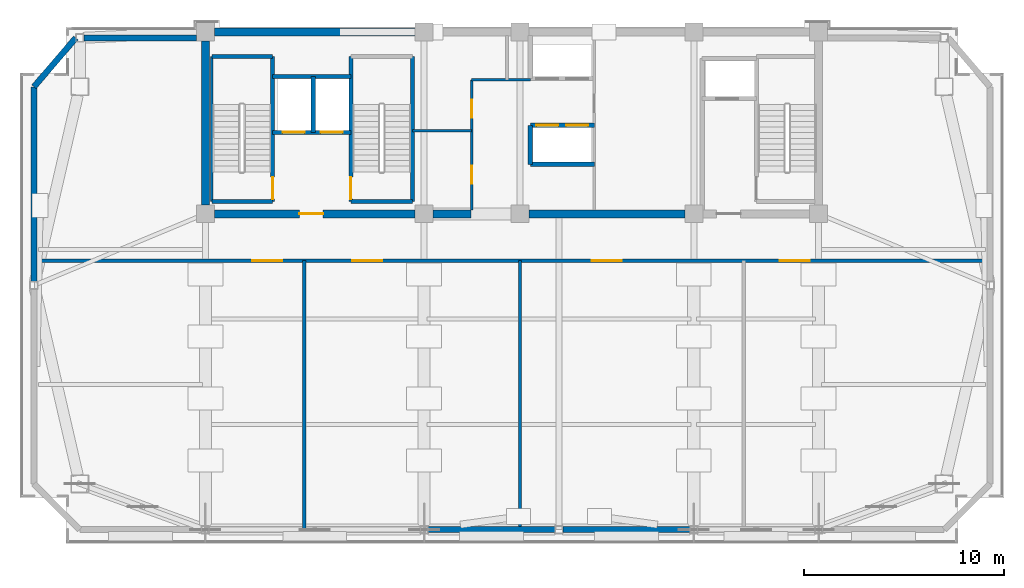
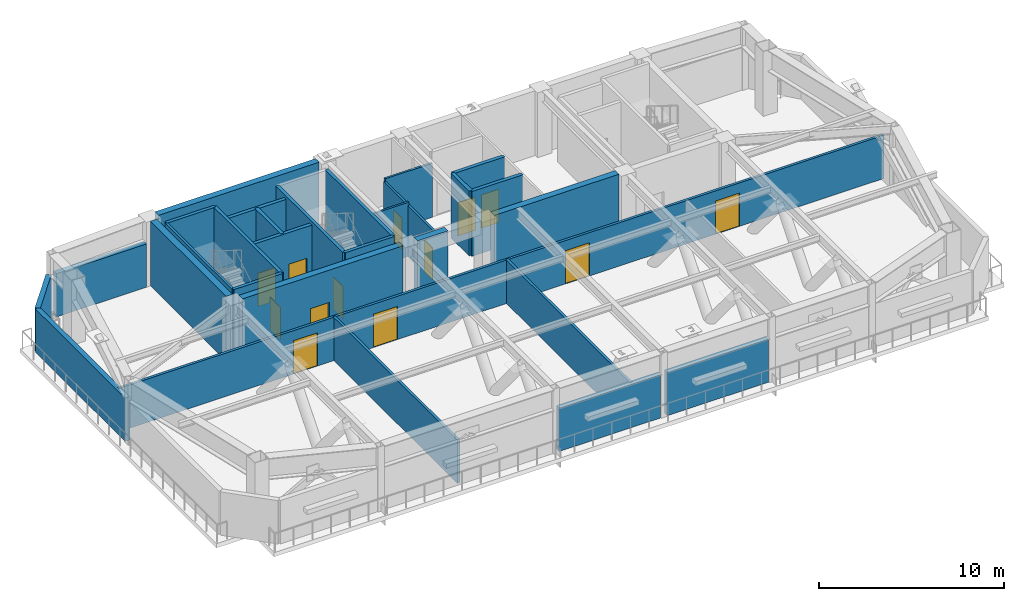
# One storey, part 3 of 7: 29 walls, 13 doors, 13 openings.
"""IFC4 building model written with IfcOpenShell, lengths in metres."""

from ifc_helpers import new_model, si_unit, direction, frame, frame_2d, origin, place, context, subcontext, project, spatial, rectangle, extrude, source, transform, mapped, material, layer, layer_set, type_object, element, fill, save


model = new_model("IFC4")

# Units and contexts
model_context = context("Model", 3, precision=1e-05, world=origin(), true_north=direction((0.0, 1.0)))
body_context = subcontext(model_context, "Body", "Model", "MODEL_VIEW")
ifc_project = project(units=[si_unit("LENGTHUNIT", "METRE"), si_unit("AREAUNIT", "SQUARE_METRE"), si_unit("VOLUMEUNIT", "CUBIC_METRE"), si_unit("PLANEANGLEUNIT", "RADIAN"), si_unit("MASSUNIT", "GRAM", prefix="KILO")], contexts=[model_context])

# Site, building, storey
site_placement = place(None, origin())
site = spatial("IfcSite", under=ifc_project, at=site_placement, CompositionType="ELEMENT")
building_placement = place(site_placement, origin())
building = spatial("IfcBuilding", under=site, at=building_placement, Name="Giltprow Tower", CompositionType="ELEMENT")
storey_placement = place(building_placement, frame((0.0, 0.0, 327.800048828125)))
storey = spatial("IfcBuildingStorey", under=building, at=storey_placement, Name="L85", CompositionType="ELEMENT", Elevation=327.800048828125)

# Walls
ifc_material_1 = material(Name="Precast concrete C40", Category="concrete")
ifc_layer_1 = layer(ifc_material_1, 0.300048828125, Name="Precast concrete C40")
ifc_layer_set_1 = layer_set([ifc_layer_1], Name="Precast concrete C40")
wall_type_1 = type_object("IfcWallType", Name="EW-NOTCH-CHAMFER-300", PredefinedType="SOLIDWALL", material=ifc_layer_set_1)
wall_1_placement = place(storey_placement, frame((13.362060546875, 46.25, 0.0), z_axis=(0.0, 0.0, 1.0), x_axis=(-0.650610025707, -0.759412005732, 0.0)))
element("IfcWall", 1, at=wall_1_placement, inside=storey, type_object=wall_type_1, Name="L85 Corner Notch Wall NW", PredefinedType="SOLIDWALL", context=body_context, shape_type="SweptSolid", body=[
    extrude(rectangle(XDim=3.215576171875, YDim=0.300048828125, at=frame_2d((1.60791015625, 0.0))), origin(), (0.0, 0.0, 1.0), 2.864990234375),
])
ifc_layer_2 = layer(ifc_material_1, 0.300048828125, Name="Precast concrete C40")
ifc_layer_set_2 = layer_set([ifc_layer_2], Name="Precast concrete C40")
wall_type_2 = type_object("IfcWallType", Name="EW-REF-LOUVRE-300", PredefinedType="SOLIDWALL", material=ifc_layer_set_2)
for number, where, z_axis, x_axis, name in (
    (2, (31.0, 21.635986328125, 0.0), (0.0, 0.0, 1.0), (1.0, 0.0, 0.0), "L85 South Expressed Frame Wall 3"),
    (3, (37.75, 21.635986328125, 0.0), (0.0, 0.0, 1.0), (1.0, 0.0, 0.0), "L85 South Expressed Frame Wall 4"),
):
    element("IfcWall", number, at=place(storey_placement, frame(where, z_axis=z_axis, x_axis=x_axis)), inside=storey, type_object=wall_type_2, Name=name, PredefinedType="SOLIDWALL", context=body_context, shape_type="SweptSolid", body=[
        extrude(rectangle(XDim=6.35009765625, YDim=0.300048828125, at=frame_2d((3.175048828125, 0.0))), origin(), (0.0, 0.0, 1.0), 2.864990234375),
    ])
wall_2_placement = place(storey_placement, frame((11.27001953125, 34.068115234375, 0.0), z_axis=(0.0, 0.0, 1.0), x_axis=(0.0, 1.0, 0.0)))
element("IfcWall", 4, at=wall_2_placement, inside=storey, type_object=wall_type_2, Name="L85 W Wing Masonry Wall 2", PredefinedType="SOLIDWALL", context=body_context, shape_type="SweptSolid", body=[
    extrude(rectangle(XDim=9.739990234375, YDim=0.300048828125, at=frame_2d((4.8701171875, 0.0))), origin(), (0.0, 0.0, 1.0), 2.864990234375),
])
wall_3_placement = place(storey_placement, frame((13.761962890625, 46.25, 0.0), z_axis=(0.0, 0.0, 1.0), x_axis=(1.0, 0.0, 0.0)))
element("IfcWall", 5, at=wall_3_placement, inside=storey, type_object=wall_type_2, Name="L85 North-West Wing Wall", PredefinedType="SOLIDWALL", context=body_context, shape_type="SweptSolid", body=[
    extrude(rectangle(XDim=5.637939453125, YDim=0.300048828125, at=frame_2d((2.81884765625, 0.0))), origin(), (0.0, 0.0, 1.0), 2.864990234375),
])

# Wall, openings, doors
ifc_material_2 = material(Name="Gypsum stud partition", Category="gypsum")
ifc_layer_3 = layer(ifc_material_2, 0.159912109375, Name="Gypsum stud partition")
ifc_layer_set_3 = layer_set([ifc_layer_3], Name="Gypsum stud partition")
wall_type_3 = type_object("IfcWallType", Name="IW-DEMISE-160", PredefinedType="PARTITIONING", material=ifc_layer_set_3)
wall_4_placement = place(storey_placement, frame((11.27001953125, 35.10009765625, 0.0), z_axis=(0.0, 0.0, 1.0), x_axis=(1.0, 0.0, 0.0)))
wall_4 = element("IfcWall", 6, at=wall_4_placement, inside=storey, type_object=wall_type_3, Name="L85 Refuge and Plant Corridor Wall", PredefinedType="PARTITIONING", context=body_context, shape_type="SweptSolid", body=[
    extrude(rectangle(XDim=47.861083984375, YDim=0.159912109375, at=frame_2d((23.9306640625, 0.0))), origin(), (0.0, 0.0, 1.0), 2.869873046875),
])
opening_1_placement = place(wall_4_placement, frame((10.929931640625, 0.0, 0.0)))
opening_1 = element("IfcOpeningElement", 7, at=opening_1_placement, cuts=wall_4, Name="Opening ID25", PredefinedType="OPENING", context=body_context, shape_type="SweptSolid", body=[
    extrude(rectangle(XDim=1.5, YDim=2.199951171875, at=frame_2d((0.75, 1.10009765625))), frame((0.0, 0.08984375, 0.0), z_axis=(0.0, -1.0, 0.0), x_axis=(1.0, 0.0, 0.0)), (0.0, 0.0, 1.0), 0.179931640625),
])
opening_2_placement = place(wall_4_placement, frame((15.929931640625, 0.0, 0.0)))
opening_2 = element("IfcOpeningElement", 8, at=opening_2_placement, cuts=wall_4, Name="Opening ID25", PredefinedType="OPENING", context=body_context, shape_type="SweptSolid", body=[
    extrude(rectangle(XDim=1.5, YDim=2.199951171875, at=frame_2d((0.75, 1.10009765625))), frame((0.0, 0.08984375, 0.0), z_axis=(0.0, -1.0, 0.0), x_axis=(1.0, 0.0, 0.0)), (0.0, 0.0, 1.0), 0.179931640625),
])
opening_3_placement = place(wall_4_placement, frame((27.929931640625, 0.0, 0.0)))
opening_3 = element("IfcOpeningElement", 9, at=opening_3_placement, cuts=wall_4, Name="Opening ID25", PredefinedType="OPENING", context=body_context, shape_type="SweptSolid", body=[
    extrude(rectangle(XDim=1.5, YDim=2.199951171875, at=frame_2d((0.75, 1.10009765625))), frame((0.0, 0.08984375, 0.0), z_axis=(0.0, -1.0, 0.0), x_axis=(1.0, 0.0, 0.0)), (0.0, 0.0, 1.0), 0.179931640625),
])
opening_4_placement = place(wall_4_placement, frame((37.330078125, 0.0, 0.0)))
opening_4 = element("IfcOpeningElement", 10, at=opening_4_placement, cuts=wall_4, Name="Opening ID25", PredefinedType="OPENING", context=body_context, shape_type="SweptSolid", body=[
    extrude(rectangle(XDim=1.5, YDim=2.199951171875, at=frame_2d((0.75, 1.10009765625))), frame((0.0, 0.08984375, 0.0), z_axis=(0.0, -1.0, 0.0), x_axis=(1.0, 0.0, 0.0)), (0.0, 0.0, 1.0), 0.179931640625),
])
ifc_material_3 = material(Name="Steel fire leaf", Category="steel")
door_type_1 = type_object("IfcDoorType", Name="DR-PLANT-1500", OperationType="DOUBLE_SWING_LEFT", PredefinedType="DOOR", material=ifc_material_3)
shared_shape_1 = source(origin(), body_context, "Body", "SweptSolid", [
    extrude(rectangle(XDim=1.5, YDim=2.199951171875, at=frame_2d((0.75, 1.10009765625))), frame((0.0, 0.02490234375, 0.0), z_axis=(0.0, -1.0, 0.0), x_axis=(1.0, 0.0, 0.0)), (0.0, 0.0, 1.0), 0.050048828125),
])
door_1_placement = place(opening_1_placement, origin())
door_1 = element("IfcDoor", 11, at=door_1_placement, inside=storey, type_object=door_type_1, Name="L85 Pressurized Fire Refuge Holding Area West Door", OperationType="DOUBLE_SWING_LEFT", OverallHeight=2.199951171875, OverallWidth=1.5, PredefinedType="DOOR", context=body_context, shape_type="MappedRepresentation", body=[
    mapped(shared_shape_1, transform((0.0, 0.0, 0.0), x_axis=(1.0, 0.0, 0.0), y_axis=(0.0, 1.0, 0.0), z_axis=(0.0, 0.0, 1.0), scale=1.0)),
])
fill(opening_1, door_1)
door_2_placement = place(opening_2_placement, origin())
door_2 = element("IfcDoor", 12, at=door_2_placement, inside=storey, type_object=door_type_1, Name="L85 Zone Air Handling and Smoke Dampers Plant Door", OperationType="DOUBLE_SWING_LEFT", OverallHeight=2.199951171875, OverallWidth=1.5, PredefinedType="DOOR", context=body_context, shape_type="MappedRepresentation", body=[
    mapped(shared_shape_1, transform((0.0, 0.0, 0.0), x_axis=(1.0, 0.0, 0.0), y_axis=(0.0, 1.0, 0.0), z_axis=(0.0, 0.0, 1.0), scale=1.0)),
])
fill(opening_2, door_2)
door_3_placement = place(opening_3_placement, origin())
door_3 = element("IfcDoor", 13, at=door_3_placement, inside=storey, type_object=door_type_1, Name="L85 High-Zone Heat Exchanger and Pump Plant Door", OperationType="DOUBLE_SWING_LEFT", OverallHeight=2.199951171875, OverallWidth=1.5, PredefinedType="DOOR", context=body_context, shape_type="MappedRepresentation", body=[
    mapped(shared_shape_1, transform((0.0, 0.0, 0.0), x_axis=(1.0, 0.0, 0.0), y_axis=(0.0, 1.0, 0.0), z_axis=(0.0, 0.0, 1.0), scale=1.0)),
])
fill(opening_3, door_3)
door_4_placement = place(opening_4_placement, origin())
door_4 = element("IfcDoor", 14, at=door_4_placement, inside=storey, type_object=door_type_1, Name="L85 Pressurized Fire Refuge Holding Area East Door", OperationType="DOUBLE_SWING_LEFT", OverallHeight=2.199951171875, OverallWidth=1.5, PredefinedType="DOOR", context=body_context, shape_type="MappedRepresentation", body=[
    mapped(shared_shape_1, transform((0.0, 0.0, 0.0), x_axis=(1.0, 0.0, 0.0), y_axis=(0.0, 1.0, 0.0), z_axis=(0.0, 0.0, 1.0), scale=1.0)),
])
fill(opening_4, door_4)

# Walls
for number, where, z_axis, x_axis, name in (
    (15, (24.800048828125, 21.635986328125, 0.0), (0.0, 0.0, 1.0), (0.0, 1.0, 0.0), "L85 Refuge Compartment Wall 1"),
    (16, (35.60009765625, 21.635986328125, 0.0), (0.0, 0.0, 1.0), (0.0, 1.0, 0.0), "L85 Refuge Compartment Wall 2"),
):
    element("IfcWall", number, at=place(storey_placement, frame(where, z_axis=z_axis, x_axis=x_axis)), inside=storey, type_object=wall_type_3, Name=name, PredefinedType="PARTITIONING", context=body_context, shape_type="SweptSolid", body=[
        extrude(rectangle(XDim=13.464111328125, YDim=0.159912109375, at=frame_2d((6.73193359375, 0.0))), origin(), (0.0, 0.0, 1.0), 2.869873046875),
    ])

# Wall, openings, doors
ifc_material_4 = material(Name="Concrete C40", Category="concrete")
ifc_layer_4 = layer(ifc_material_4, 0.219970703125, Name="Concrete C40")
ifc_layer_set_4 = layer_set([ifc_layer_4], Name="Concrete C40")
wall_type_4 = type_object("IfcWallType", Name="IW-SHAFT-220", PredefinedType="SOLIDWALL", material=ifc_layer_set_4)
wall_5_placement = place(storey_placement, frame((23.219970703125, 41.52001953125, 0.0), z_axis=(0.0, 0.0, 1.0), x_axis=(1.0, 0.0, 0.0)))
wall_5 = element("IfcWall", 17, at=wall_5_placement, inside=storey, type_object=wall_type_4, Name="L85 FFL1 and Service Lift Front Wall", PredefinedType="SOLIDWALL", context=body_context, shape_type="SweptSolid", body=[
    extrude(rectangle(XDim=3.919921875, YDim=0.219970703125, at=frame_2d((1.9599609375, 0.0))), origin(), (0.0, 0.0, 1.0), 4.284912109375),
])
opening_5_placement = place(wall_5_placement, frame((0.5, 0.0, 0.0)))
opening_5 = element("IfcOpeningElement", 18, at=opening_5_placement, cuts=wall_5, Name="Opening LD-11", PredefinedType="OPENING", context=body_context, shape_type="SweptSolid", body=[
    extrude(rectangle(XDim=1.10009765625, YDim=2.199951171875, at=frame_2d((0.550048828125, 1.10009765625))), frame((0.0, 0.119873046875, 0.0), z_axis=(0.0, -1.0, 0.0), x_axis=(1.0, 0.0, 0.0)), (0.0, 0.0, 1.0), 0.239990234375),
])
opening_6_placement = place(wall_5_placement, frame((2.39990234375, 0.0, 0.0)))
opening_6 = element("IfcOpeningElement", 19, at=opening_6_placement, cuts=wall_5, Name="Opening LD-11", PredefinedType="OPENING", context=body_context, shape_type="SweptSolid", body=[
    extrude(rectangle(XDim=1.10009765625, YDim=2.199951171875, at=frame_2d((0.550048828125, 1.10009765625))), frame((0.0, 0.119873046875, 0.0), z_axis=(0.0, -1.0, 0.0), x_axis=(1.0, 0.0, 0.0)), (0.0, 0.0, 1.0), 0.239990234375),
])
ifc_material_5 = material(Name="Stainless steel", Category="steel")
door_type_2 = type_object("IfcDoorType", Name="DR-LIFT-LD1100", OperationType="SLIDING_TO_LEFT", PredefinedType="DOOR", material=ifc_material_5)
shared_shape_2 = source(origin(), body_context, "Body", "SweptSolid", [
    extrude(rectangle(XDim=1.10009765625, YDim=2.199951171875, at=frame_2d((0.550048828125, 1.10009765625))), frame((0.0, 0.02490234375, 0.0), z_axis=(0.0, -1.0, 0.0), x_axis=(1.0, 0.0, 0.0)), (0.0, 0.0, 1.0), 0.050048828125),
])
door_5_placement = place(opening_5_placement, origin())
door_5 = element("IfcDoor", 20, at=door_5_placement, inside=storey, type_object=door_type_2, Name="L85 FFL1 Landing Door", OperationType="SLIDING_TO_LEFT", OverallHeight=2.199951171875, OverallWidth=1.10009765625, PredefinedType="DOOR", context=body_context, shape_type="MappedRepresentation", body=[
    mapped(shared_shape_2, transform((0.0, 0.0, 0.0), x_axis=(1.0, 0.0, 0.0), y_axis=(0.0, 1.0, 0.0), z_axis=(0.0, 0.0, 1.0), scale=1.0)),
])
fill(opening_5, door_5)
door_6_placement = place(opening_6_placement, origin())
door_6 = element("IfcDoor", 21, at=door_6_placement, inside=storey, type_object=door_type_2, Name="L85 SVL1 Landing Door", OperationType="SLIDING_TO_LEFT", OverallHeight=2.199951171875, OverallWidth=1.10009765625, PredefinedType="DOOR", context=body_context, shape_type="MappedRepresentation", body=[
    mapped(shared_shape_2, transform((0.0, 0.0, 0.0), x_axis=(1.0, 0.0, 0.0), y_axis=(0.0, 1.0, 0.0), z_axis=(0.0, 0.0, 1.0), scale=1.0)),
])
fill(opening_6, door_6)

# Walls
wall_6_placement = place(storey_placement, frame((25.260009765625, 41.52001953125, 0.0), z_axis=(0.0, 0.0, 1.0), x_axis=(0.0, 1.0, 0.0)))
element("IfcWall", 22, at=wall_6_placement, inside=storey, type_object=wall_type_4, Name="L85 FFL1-SVL1 Shaft Divider", PredefinedType="SOLIDWALL", context=body_context, shape_type="SweptSolid", body=[
    extrude(rectangle(XDim=2.800048828125, YDim=0.219970703125, at=frame_2d((1.39990234375, 0.0))), origin(), (0.0, 0.0, 1.0), 4.284912109375),
])
wall_7_placement = place(storey_placement, frame((23.219970703125, 44.320068359375, 0.0), z_axis=(0.0, 0.0, 1.0), x_axis=(1.0, 0.0, 0.0)))
element("IfcWall", 23, at=wall_7_placement, inside=storey, type_object=wall_type_4, Name="L85 FFL1-SVL1 Back Shaft Wall", PredefinedType="SOLIDWALL", context=body_context, shape_type="SweptSolid", body=[
    extrude(rectangle(XDim=3.919921875, YDim=0.219970703125, at=frame_2d((1.9599609375, 0.0))), origin(), (0.0, 0.0, 1.0), 4.284912109375),
])

# Wall, openings, doors
wall_8_placement = place(storey_placement, frame((36.1201171875, 41.8798828125, 0.0), z_axis=(0.0, 0.0, 1.0), x_axis=(1.0, 0.0, 0.0)))
wall_8 = element("IfcWall", 24, at=wall_8_placement, inside=storey, type_object=wall_type_4, Name="L85 High-Rise Lift Shaft Front Wall S", PredefinedType="SOLIDWALL", context=body_context, shape_type="SweptSolid", body=[
    extrude(rectangle(XDim=3.199951171875, YDim=0.219970703125, at=frame_2d((1.60009765625, 0.0))), origin(), (0.0, 0.0, 1.0), 4.284912109375),
])
opening_7_placement = place(wall_8_placement, frame((0.300048828125, 0.0, 0.0)))
opening_7 = element("IfcOpeningElement", 25, at=opening_7_placement, cuts=wall_8, Name="Opening LD-11", PredefinedType="OPENING", context=body_context, shape_type="SweptSolid", body=[
    extrude(rectangle(XDim=1.10009765625, YDim=2.199951171875, at=frame_2d((0.550048828125, 1.10009765625))), frame((0.0, 0.119873046875, 0.0), z_axis=(0.0, -1.0, 0.0), x_axis=(1.0, 0.0, 0.0)), (0.0, 0.0, 1.0), 0.239990234375),
])
opening_8_placement = place(wall_8_placement, frame((1.7900390625, 0.0, 0.0)))
opening_8 = element("IfcOpeningElement", 26, at=opening_8_placement, cuts=wall_8, Name="Opening LD-11", PredefinedType="OPENING", context=body_context, shape_type="SweptSolid", body=[
    extrude(rectangle(XDim=1.10009765625, YDim=2.199951171875, at=frame_2d((0.550048828125, 1.10009765625))), frame((0.0, 0.119873046875, 0.0), z_axis=(0.0, -1.0, 0.0), x_axis=(1.0, 0.0, 0.0)), (0.0, 0.0, 1.0), 0.239990234375),
])
door_7_placement = place(opening_7_placement, origin())
door_7 = element("IfcDoor", 27, at=door_7_placement, inside=storey, type_object=door_type_2, Name="L85 PL-H3 Landing Door", OperationType="SLIDING_TO_LEFT", OverallHeight=2.199951171875, OverallWidth=1.10009765625, PredefinedType="DOOR", context=body_context, shape_type="MappedRepresentation", body=[
    mapped(shared_shape_2, transform((0.0, 0.0, 0.0), x_axis=(1.0, 0.0, 0.0), y_axis=(0.0, 1.0, 0.0), z_axis=(0.0, 0.0, 1.0), scale=1.0)),
])
fill(opening_7, door_7)
door_8_placement = place(opening_8_placement, origin())
door_8 = element("IfcDoor", 28, at=door_8_placement, inside=storey, type_object=door_type_2, Name="L85 PL-H4 Landing Door", OperationType="SLIDING_TO_LEFT", OverallHeight=2.199951171875, OverallWidth=1.10009765625, PredefinedType="DOOR", context=body_context, shape_type="MappedRepresentation", body=[
    mapped(shared_shape_2, transform((0.0, 0.0, 0.0), x_axis=(1.0, 0.0, 0.0), y_axis=(0.0, 1.0, 0.0), z_axis=(0.0, 0.0, 1.0), scale=1.0)),
])
fill(opening_8, door_8)

# Walls
wall_9_placement = place(storey_placement, frame((36.1201171875, 39.919921875, 0.0), z_axis=(0.0, 0.0, 1.0), x_axis=(1.0, 0.0, 0.0)))
element("IfcWall", 29, at=wall_9_placement, inside=storey, type_object=wall_type_4, Name="L85 High-Rise South Lift Back Wall", PredefinedType="SOLIDWALL", context=body_context, shape_type="SweptSolid", body=[
    extrude(rectangle(XDim=3.199951171875, YDim=0.219970703125, at=frame_2d((1.60009765625, 0.0))), origin(), (0.0, 0.0, 1.0), 4.284912109375),
])
wall_10_placement = place(storey_placement, frame((36.1201171875, 39.919921875, 0.0), z_axis=(0.0, 0.0, 1.0), x_axis=(0.0, 1.0, 0.0)))
element("IfcWall", 30, at=wall_10_placement, inside=storey, type_object=wall_type_4, Name="L85 High-Rise South Lift West Closure", PredefinedType="SOLIDWALL", context=body_context, shape_type="SweptSolid", body=[
    extrude(rectangle(XDim=1.9599609375, YDim=0.219970703125, at=frame_2d((0.97998046875, 0.0))), origin(), (0.0, 0.0, 1.0), 4.284912109375),
])
ifc_material_6 = material(Name="Concrete C45", Category="concrete")
ifc_layer_5 = layer(ifc_material_6, 0.139892578125, Name="Concrete C45")
ifc_layer_set_5 = layer_set([ifc_layer_5], Name="Concrete C45")
wall_type_5 = type_object("IfcWallType", Name="IW-STAIR-140", PredefinedType="SOLIDWALL", material=ifc_layer_set_5)
wall_11_placement = place(storey_placement, frame((20.169921875, 38.070068359375, 0.0), z_axis=(0.0, 0.0, 1.0), x_axis=(0.0, 1.0, 0.0)))
element("IfcWall", 31, at=wall_11_placement, inside=storey, type_object=wall_type_5, Name="L85 Stair ST-1 West Bearing Wall", PredefinedType="SOLIDWALL", context=body_context, shape_type="SweptSolid", body=[
    extrude(rectangle(XDim=7.25, YDim=0.139892578125, at=frame_2d((3.625, 0.0))), origin(), (0.0, 0.0, 1.0), 4.5),
])

# Wall, opening, door
ifc_layer_6 = layer(ifc_material_4, 0.199951171875, Name="Concrete C40")
ifc_layer_set_6 = layer_set([ifc_layer_6], Name="Concrete C40")
wall_type_6 = type_object("IfcWallType", Name="IW-STAIR-200", PredefinedType="SOLIDWALL", material=ifc_layer_set_6)
wall_12_placement = place(storey_placement, frame((23.219970703125, 38.070068359375, 0.0), z_axis=(0.0, 0.0, 1.0), x_axis=(0.0, 1.0, 0.0)))
wall_12 = element("IfcWall", 32, at=wall_12_placement, inside=storey, type_object=wall_type_6, Name="L85 Stair ST-1 East Bearing Wall", PredefinedType="SOLIDWALL", context=body_context, shape_type="SweptSolid", body=[
    extrude(rectangle(XDim=7.25, YDim=0.199951171875, at=frame_2d((3.625, 0.0))), origin(), (0.0, 0.0, 1.0), 4.5),
])
opening_9_placement = place(wall_12_placement, frame((0.110107421875, 0.0, 0.0)))
opening_9 = element("IfcOpeningElement", 33, at=opening_9_placement, cuts=wall_12, Name="Opening ID33", PredefinedType="OPENING", context=body_context, shape_type="SweptSolid", body=[
    extrude(rectangle(XDim=1.10009765625, YDim=2.14990234375, at=frame_2d((0.550048828125, 1.074951171875))), frame((0.0, 0.10986328125, 0.0), z_axis=(0.0, -1.0, 0.0), x_axis=(1.0, 0.0, 0.0)), (0.0, 0.0, 1.0), 0.219970703125),
])
door_type_3 = type_object("IfcDoorType", Name="DR-STAIR-1100", OperationType="SINGLE_SWING_LEFT", PredefinedType="DOOR", material=ifc_material_3)
shared_shape_3 = source(origin(), body_context, "Body", "SweptSolid", [
    extrude(rectangle(XDim=1.10009765625, YDim=2.14990234375, at=frame_2d((0.550048828125, 1.074951171875))), frame((0.0, 0.02490234375, 0.0), z_axis=(0.0, -1.0, 0.0), x_axis=(1.0, 0.0, 0.0)), (0.0, 0.0, 1.0), 0.050048828125),
])
door_9_placement = place(opening_9_placement, origin())
door_9 = element("IfcDoor", 34, at=door_9_placement, inside=storey, type_object=door_type_3, Name="L85 Stair ST-1 Fire Door", OperationType="SINGLE_SWING_RIGHT", OverallHeight=2.14990234375, OverallWidth=1.10009765625, PredefinedType="DOOR", context=body_context, shape_type="MappedRepresentation", body=[
    mapped(shared_shape_3, transform((0.0, 0.0, 0.0), x_axis=(1.0, 0.0, 0.0), y_axis=(0.0, 1.0, 0.0), z_axis=(0.0, 0.0, 1.0), scale=1.0)),
])
fill(opening_9, door_9)

# Walls
for number, where, z_axis, x_axis, name in (
    (35, (20.169921875, 45.320068359375, 0.0), (0.0, 0.0, 1.0), (1.0, 0.0, 0.0), "L85 Stair ST-1 North Bearing Wall"),
    (36, (20.169921875, 38.070068359375, 0.0), (0.0, 0.0, 1.0), (1.0, 0.0, 0.0), "L85 Stair ST-1 South Bearing Wall"),
):
    element("IfcWall", number, at=place(storey_placement, frame(where, z_axis=z_axis, x_axis=x_axis)), inside=storey, type_object=wall_type_6, Name=name, PredefinedType="SOLIDWALL", context=body_context, shape_type="SweptSolid", body=[
        extrude(rectangle(XDim=3.050048828125, YDim=0.199951171875, at=frame_2d((1.52490234375, 0.0))), origin(), (0.0, 0.0, 1.0), 4.5),
    ])

# Wall, opening, door
wall_13_placement = place(storey_placement, frame((27.139892578125, 38.070068359375, 0.0), z_axis=(0.0, 0.0, 1.0), x_axis=(0.0, 1.0, 0.0)))
wall_13 = element("IfcWall", 37, at=wall_13_placement, inside=storey, type_object=wall_type_6, Name="L85 Stair ST-2 West Bearing Wall", PredefinedType="SOLIDWALL", context=body_context, shape_type="SweptSolid", body=[
    extrude(rectangle(XDim=7.25, YDim=0.199951171875, at=frame_2d((3.625, 0.0))), origin(), (0.0, 0.0, 1.0), 4.5),
])
opening_10_placement = place(wall_13_placement, frame((0.110107421875, 0.0, 0.0)))
opening_10 = element("IfcOpeningElement", 38, at=opening_10_placement, cuts=wall_13, Name="Opening ID33", PredefinedType="OPENING", context=body_context, shape_type="SweptSolid", body=[
    extrude(rectangle(XDim=1.10009765625, YDim=2.14990234375, at=frame_2d((0.550048828125, 1.074951171875))), frame((0.0, 0.10986328125, 0.0), z_axis=(0.0, -1.0, 0.0), x_axis=(1.0, 0.0, 0.0)), (0.0, 0.0, 1.0), 0.219970703125),
])
door_10_placement = place(opening_10_placement, origin())
door_10 = element("IfcDoor", 39, at=door_10_placement, inside=storey, type_object=door_type_3, Name="L85 Stair ST-2 Fire Door", OperationType="SINGLE_SWING_LEFT", OverallHeight=2.14990234375, OverallWidth=1.10009765625, PredefinedType="DOOR", context=body_context, shape_type="MappedRepresentation", body=[
    mapped(shared_shape_3, transform((0.0, 0.0, 0.0), x_axis=(1.0, 0.0, 0.0), y_axis=(0.0, 1.0, 0.0), z_axis=(0.0, 0.0, 1.0), scale=1.0)),
])
fill(opening_10, door_10)

# Walls
wall_14_placement = place(storey_placement, frame((30.219970703125, 38.070068359375, 0.0), z_axis=(0.0, 0.0, 1.0), x_axis=(0.0, 1.0, 0.0)))
element("IfcWall", 40, at=wall_14_placement, inside=storey, type_object=wall_type_6, Name="L85 Stair ST-2 East Bearing Wall", PredefinedType="SOLIDWALL", context=body_context, shape_type="SweptSolid", body=[
    extrude(rectangle(XDim=7.25, YDim=0.199951171875, at=frame_2d((3.625, 0.0))), origin(), (0.0, 0.0, 1.0), 4.5),
])
wall_15_placement = place(storey_placement, frame((27.139892578125, 38.070068359375, 0.0), z_axis=(0.0, 0.0, 1.0), x_axis=(1.0, 0.0, 0.0)))
element("IfcWall", 41, at=wall_15_placement, inside=storey, type_object=wall_type_6, Name="L85 Stair ST-2 South Bearing Wall", PredefinedType="SOLIDWALL", context=body_context, shape_type="SweptSolid", body=[
    extrude(rectangle(XDim=3.080078125, YDim=0.199951171875, at=frame_2d((1.5400390625, 0.0))), origin(), (0.0, 0.0, 1.0), 4.5),
])

# Wall, openings, doors
ifc_material_7 = material(Name="Concrete C30", Category="concrete")
ifc_layer_7 = layer(ifc_material_7, 0.1298828125, Name="Concrete C30")
ifc_layer_set_7 = layer_set([ifc_layer_7], Name="Concrete C30")
wall_type_7 = type_object("IfcWallType", Name="IW-WET-130", PredefinedType="PARTITIONING", material=ifc_layer_set_7)
wall_16_placement = place(storey_placement, frame((33.179931640625, 37.6298828125, 0.0), z_axis=(0.0, 0.0, 1.0), x_axis=(0.0, 1.0, 0.0)))
wall_16 = element("IfcWall", 42, at=wall_16_placement, inside=storey, type_object=wall_type_7, Name="L85 Reclaimed West Core Wall", PredefinedType="PARTITIONING", context=body_context, shape_type="SweptSolid", body=[
    extrude(rectangle(XDim=6.52001953125, YDim=0.1298828125, at=frame_2d((3.260009765625, 0.0))), origin(), (0.0, 0.0, 1.0), 3.369873046875),
])
opening_11_placement = place(wall_16_placement, frame((1.320068359375, 0.0, 0.0)))
opening_11 = element("IfcOpeningElement", 43, at=opening_11_placement, cuts=wall_16, Name="Opening ID35", PredefinedType="OPENING", context=body_context, shape_type="SweptSolid", body=[
    extrude(rectangle(XDim=0.89990234375, YDim=2.10009765625, at=frame_2d((0.449951171875, 1.050048828125))), frame((0.0, 0.074951171875, 0.0), z_axis=(0.0, -1.0, 0.0), x_axis=(1.0, 0.0, 0.0)), (0.0, 0.0, 1.0), 0.14990234375),
])
opening_12_placement = place(wall_16_placement, frame((4.6201171875, 0.0, 0.0)))
opening_12 = element("IfcOpeningElement", 44, at=opening_12_placement, cuts=wall_16, Name="Opening ID35", PredefinedType="OPENING", context=body_context, shape_type="SweptSolid", body=[
    extrude(rectangle(XDim=0.89990234375, YDim=2.10009765625, at=frame_2d((0.449951171875, 1.050048828125))), frame((0.0, 0.074951171875, 0.0), z_axis=(0.0, -1.0, 0.0), x_axis=(1.0, 0.0, 0.0)), (0.0, 0.0, 1.0), 0.14990234375),
])
door_type_4 = type_object("IfcDoorType", Name="DR-SHAFT-900", OperationType="SINGLE_SWING_LEFT", PredefinedType="DOOR", material=ifc_material_3)
shared_shape_4 = source(origin(), body_context, "Body", "SweptSolid", [
    extrude(rectangle(XDim=0.89990234375, YDim=2.10009765625, at=frame_2d((0.449951171875, 1.050048828125))), frame((0.0, 0.02490234375, 0.0), z_axis=(0.0, -1.0, 0.0), x_axis=(1.0, 0.0, 0.0)), (0.0, 0.0, 1.0), 0.050048828125),
])
door_11_placement = place(opening_11_placement, origin())
door_11 = element("IfcDoor", 45, at=door_11_placement, inside=storey, type_object=door_type_4, Name="L85 Core Powder Room Door", OperationType="SINGLE_SWING_LEFT", OverallHeight=2.10009765625, OverallWidth=0.89990234375, PredefinedType="DOOR", context=body_context, shape_type="MappedRepresentation", body=[
    mapped(shared_shape_4, transform((0.0, 0.0, 0.0), x_axis=(1.0, 0.0, 0.0), y_axis=(0.0, 1.0, 0.0), z_axis=(0.0, 0.0, 1.0), scale=1.0)),
])
fill(opening_11, door_11)
door_12_placement = place(opening_12_placement, origin())
door_12 = element("IfcDoor", 46, at=door_12_placement, inside=storey, type_object=door_type_4, Name="L85 Core Valet Pantry Door", OperationType="SINGLE_SWING_RIGHT", OverallHeight=2.10009765625, OverallWidth=0.89990234375, PredefinedType="DOOR", context=body_context, shape_type="MappedRepresentation", body=[
    mapped(shared_shape_4, transform((0.0, 0.0, 0.0), x_axis=(1.0, 0.0, 0.0), y_axis=(0.0, 1.0, 0.0), z_axis=(0.0, 0.0, 1.0), scale=1.0)),
])
fill(opening_12, door_12)

# Walls
wall_17_placement = place(storey_placement, frame((33.179931640625, 44.14990234375, 0.0), z_axis=(0.0, 0.0, 1.0), x_axis=(1.0, 0.0, 0.0)))
element("IfcWall", 47, at=wall_17_placement, inside=storey, type_object=wall_type_7, Name="L85 Reclaimed West Pocket Wall S", PredefinedType="PARTITIONING", context=body_context, shape_type="SweptSolid", body=[
    extrude(rectangle(XDim=2.940185546875, YDim=0.1298828125, at=frame_2d((1.47021484375, 0.0))), origin(), (0.0, 0.0, 1.0), 3.570068359375),
])
wall_18_placement = place(storey_placement, frame((30.219970703125, 41.60009765625, 0.0), z_axis=(0.0, 0.0, 1.0), x_axis=(1.0, 0.0, 0.0)))
element("IfcWall", 48, at=wall_18_placement, inside=storey, type_object=wall_type_7, Name="L85 West Core Split", PredefinedType="PARTITIONING", context=body_context, shape_type="SweptSolid", body=[
    extrude(rectangle(XDim=2.9599609375, YDim=0.1298828125, at=frame_2d((1.47998046875, 0.0))), origin(), (0.0, 0.0, 1.0), 3.570068359375),
])
ifc_layer_8 = layer(ifc_material_6, 0.39990234375, Name="Concrete C45")
ifc_layer_set_8 = layer_set([ifc_layer_8], Name="Concrete C45")
wall_type_8 = type_object("IfcWallType", Name="SW-EXT-400-C45", PredefinedType="SHEAR", material=ifc_layer_set_8)
wall_19_placement = place(storey_placement, frame((20.300048828125, 46.550048828125, 0.0), z_axis=(0.0, 0.0, 1.0), x_axis=(1.0, 0.0, 0.0)))
element("IfcWall", 49, at=wall_19_placement, inside=storey, type_object=wall_type_8, Name="L85 North Rear Core Shear Wall 1", PredefinedType="SHEAR", context=body_context, shape_type="SweptSolid", body=[
    extrude(rectangle(XDim=10.050048828125, YDim=0.39990234375, at=frame_2d((5.02490234375, 0.0))), origin(), (0.0, 0.0, 1.0), 4.284912109375),
])

# Wall, opening, door
ifc_layer_9 = layer(ifc_material_6, 0.39990234375, Name="Concrete C45")
ifc_layer_set_9 = layer_set([ifc_layer_9], Name="Concrete C45")
wall_type_9 = type_object("IfcWallType", Name="SW-INT-400-C45", PredefinedType="SHEAR", material=ifc_layer_set_9)
wall_20_placement = place(storey_placement, frame((20.300048828125, 37.449951171875, 0.0), z_axis=(0.0, 0.0, 1.0), x_axis=(1.0, 0.0, 0.0)))
wall_20 = element("IfcWall", 50, at=wall_20_placement, inside=storey, type_object=wall_type_9, Name="L85 South Rear Core Shear Wall West", PredefinedType="SHEAR", context=body_context, shape_type="SweptSolid", body=[
    extrude(rectangle(XDim=10.050048828125, YDim=0.39990234375, at=frame_2d((5.02490234375, 0.0))), origin(), (0.0, 0.0, 1.0), 4.284912109375),
])
opening_13_placement = place(wall_20_placement, frame((4.25, 0.0, 0.0)))
opening_13 = element("IfcOpeningElement", 51, at=opening_13_placement, cuts=wall_20, Name="Opening ID19", PredefinedType="OPENING", context=body_context, shape_type="SweptSolid", body=[
    extrude(rectangle(XDim=1.199951171875, YDim=2.14990234375, at=frame_2d((0.60009765625, 1.074951171875))), frame((0.0, 0.2099609375, 0.0), z_axis=(0.0, -1.0, 0.0), x_axis=(1.0, 0.0, 0.0)), (0.0, 0.0, 1.0), 0.419921875),
])
door_type_5 = type_object("IfcDoorType", Name="DR-FFLOBBY-1200", OperationType="SINGLE_SWING_RIGHT", PredefinedType="DOOR", material=ifc_material_3)
shared_shape_5 = source(origin(), body_context, "Body", "SweptSolid", [
    extrude(rectangle(XDim=1.199951171875, YDim=2.14990234375, at=frame_2d((0.60009765625, 1.074951171875))), frame((0.0, 0.02490234375, 0.0), z_axis=(0.0, -1.0, 0.0), x_axis=(1.0, 0.0, 0.0)), (0.0, 0.0, 1.0), 0.050048828125),
])
door_13_placement = place(opening_13_placement, origin())
door_13 = element("IfcDoor", 52, at=door_13_placement, inside=storey, type_object=door_type_5, Name="L85 West Firefighting Lobby Entry Door", OperationType="SINGLE_SWING_LEFT", OverallHeight=2.14990234375, OverallWidth=1.199951171875, PredefinedType="DOOR", context=body_context, shape_type="MappedRepresentation", body=[
    mapped(shared_shape_5, transform((0.0, 0.0, 0.0), x_axis=(1.0, 0.0, 0.0), y_axis=(0.0, 1.0, 0.0), z_axis=(0.0, 0.0, 1.0), scale=1.0)),
])
fill(opening_13, door_13)

# Walls
wall_21_placement = place(storey_placement, frame((31.25, 37.449951171875, 0.0), z_axis=(0.0, 0.0, 1.0), x_axis=(1.0, 0.0, 0.0)))
element("IfcWall", 53, at=wall_21_placement, inside=storey, type_object=wall_type_9, Name="L85 South Rear Core Shear Wall Mid-West", PredefinedType="SHEAR", context=body_context, shape_type="SweptSolid", body=[
    extrude(rectangle(XDim=1.89990234375, YDim=0.39990234375, at=frame_2d((0.949951171875, 0.0))), origin(), (0.0, 0.0, 1.0), 4.284912109375),
])
wall_22_placement = place(storey_placement, frame((36.050048828125, 37.449951171875, 0.0), z_axis=(0.0, 0.0, 1.0), x_axis=(1.0, 0.0, 0.0)))
element("IfcWall", 54, at=wall_22_placement, inside=storey, type_object=wall_type_9, Name="L85 South Rear Core Shear Wall Mid-East", PredefinedType="SHEAR", context=body_context, shape_type="SweptSolid", body=[
    extrude(rectangle(XDim=7.800048828125, YDim=0.39990234375, at=frame_2d((3.89990234375, 0.0))), origin(), (0.0, 0.0, 1.0), 4.284912109375),
])
wall_23_placement = place(storey_placement, frame((19.85009765625, 37.89990234375, 0.0), z_axis=(0.0, 0.0, 1.0), x_axis=(0.0, 1.0, 0.0)))
element("IfcWall", 55, at=wall_23_placement, inside=storey, type_object=wall_type_9, Name="L85 W Rear Core Shear Wall", PredefinedType="SHEAR", context=body_context, shape_type="SweptSolid", body=[
    extrude(rectangle(XDim=8.2001953125, YDim=0.39990234375, at=frame_2d((4.10009765625, 0.0))), origin(), (0.0, 0.0, 1.0), 4.284912109375),
])

save(model, "model.ifc")
